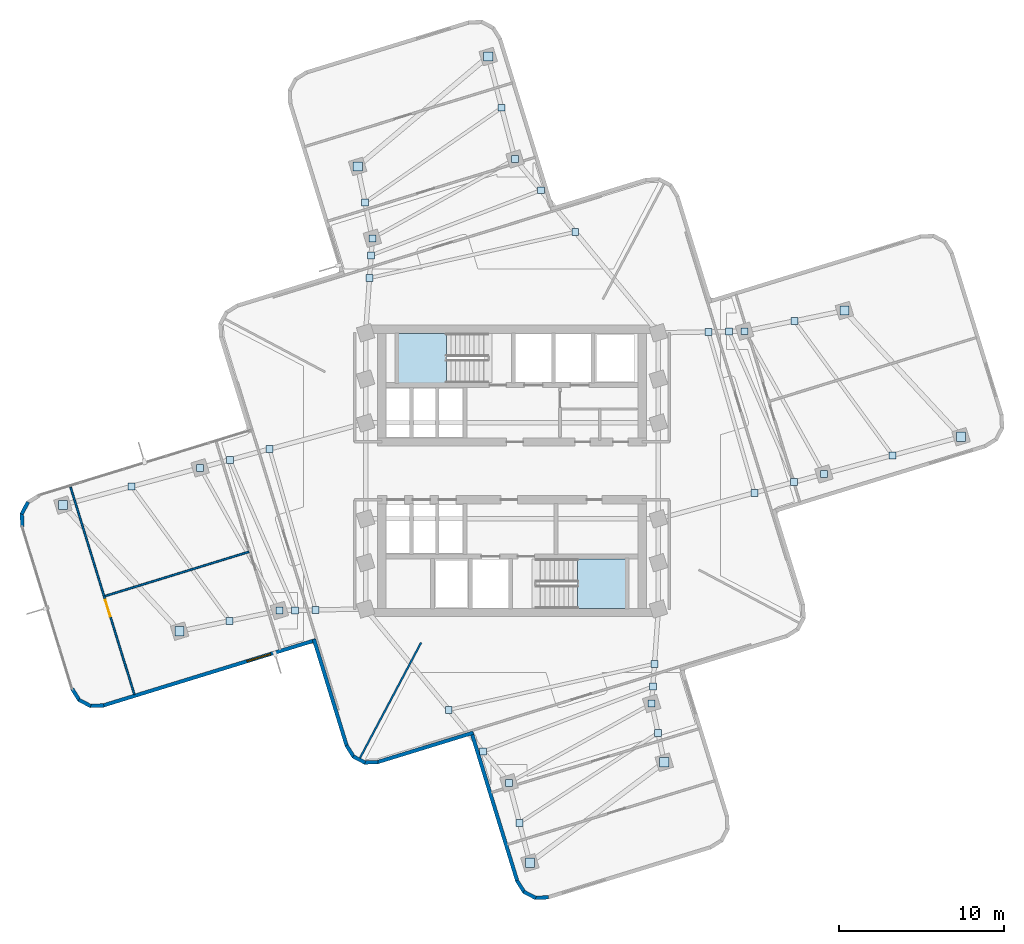
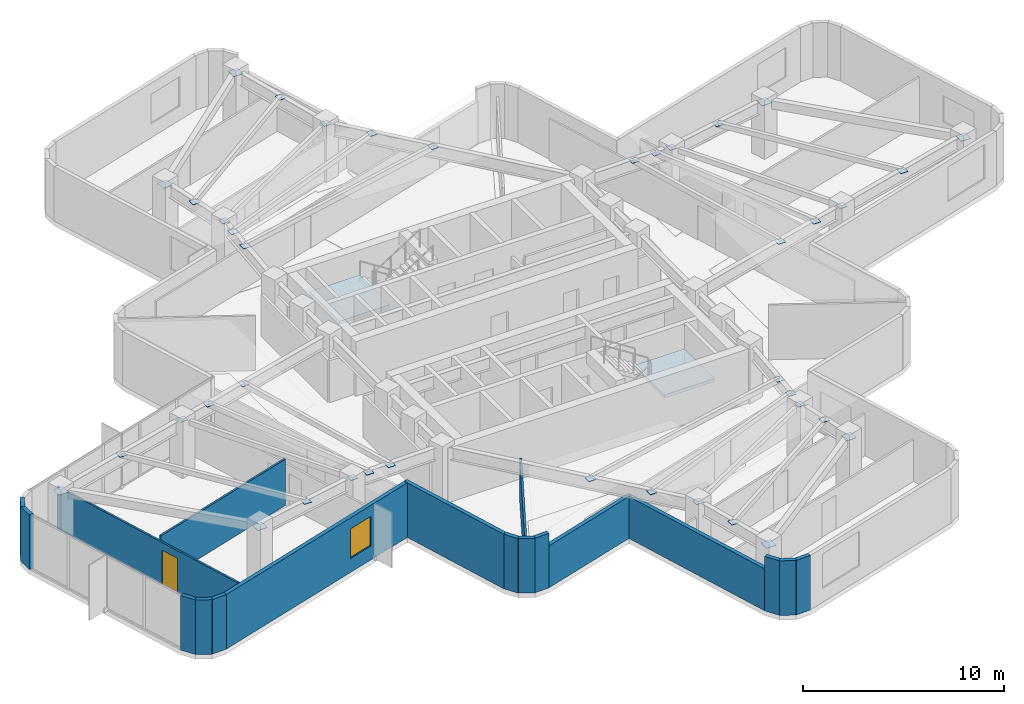
# One storey, part 5 of 10: 40 plates, 18 walls, 2 slabs, 1 door, 1 window, 2 openings, 2 elements without a shape of their own.
"""IFC4 building model written with IfcOpenShell, lengths in metres."""

from ifc_helpers import new_model, si_unit, direction, frame, frame_2d, origin, origin_2d, place, context, subcontext, project, spatial, polyline, rectangle, outline, extrude, material, layer, layer_set, type_object, element, fill, aggregate, save


model = new_model("IFC4")

# Units and contexts
model_context = context("Model", 3, precision=1e-05, world=origin(), true_north=direction((0.0, 1.0)))
body_context = subcontext(model_context, "Body", "Model", "MODEL_VIEW")
ifc_project = project(units=[si_unit("LENGTHUNIT", "METRE"), si_unit("AREAUNIT", "SQUARE_METRE"), si_unit("VOLUMEUNIT", "CUBIC_METRE"), si_unit("PLANEANGLEUNIT", "RADIAN"), si_unit("MASSUNIT", "GRAM", prefix="KILO")], contexts=[model_context])

# Site, building, storey
site_placement = place(None, origin())
site = spatial("IfcSite", under=ifc_project, at=site_placement, CompositionType="ELEMENT")
building_placement = place(site_placement, origin())
building = spatial("IfcBuilding", under=site, at=building_placement, Name="Solmarez Civic Tower", CompositionType="ELEMENT")
storey_placement = place(building_placement, frame((0.0, 0.0, 148.679931640625)))
storey = spatial("IfcBuildingStorey", under=building, at=storey_placement, Name="L39", CompositionType="ELEMENT", Elevation=148.679931640625)

# Plates
ifc_material_1 = material(Name="Steel S355", Category="steel")
ifc_layer_1 = layer(ifc_material_1, 0.02392578125)
ifc_layer_set_1 = layer_set([ifc_layer_1], Name="Steel S355")
plate_type_1 = type_object("IfcPlateType", Name="PLT-CAP-380", PredefinedType="USERDEFINED", material=ifc_layer_set_1)
for number, where, z_axis, x_axis, name in (
    (1, (18.860107421875, -0.18310546875, 3.158203125), (0.0, 0.0, 1.0), (1.0, 0.0, 0.0), "Steel Member End Cap Plate CAP-BM-L39-EA-T1-0"),
    (2, (14.06396484375, 8.445068359375, 3.158203125), (0.0, 0.0, 1.0), (1.0, 0.0, 0.0), "Steel Member End Cap Plate CAP-BM-L39-EA-T1-1"),
    (3, (23.006103515625, 0.94091796875, 3.158203125), (0.0, 0.0, 1.0), (1.0, 0.0, 0.0), "Steel Member End Cap Plate CAP-JS-L39-EA-M2-0"),
    (4, (17.0810546875, 9.069091796875, 3.158203125), (0.0, 0.0, 1.0), (1.0, 0.0, 0.0), "Steel Member End Cap Plate CAP-JS-L39-EA-M2-1"),
    (5, (14.656005859375, -1.323974609375, 3.158203125), (0.0, 0.0, 1.0), (1.0, 0.0, 0.0), "Steel Member End Cap Plate CAP-JS-L39-EA-M11-0"),
    (6, (11.8740234375, 8.405029296875, 3.158203125), (0.0, 0.0, 1.0), (1.0, 0.0, 0.0), "Steel Member End Cap Plate CAP-JS-L39-EA-M11-1"),
    (7, (17.05810546875, -0.672119140625, 3.158203125), (0.0, 0.0, 1.0), (1.0, 0.0, 0.0), "Steel Member End Cap Plate CAP-JS-L39-EA-M12-0"),
    (8, (13.125, 8.427978515625, 3.158203125), (0.0, 0.0, 1.0), (1.0, 0.0, 0.0), "Steel Member End Cap Plate CAP-JS-L39-EA-M12-1"),
    (9, (0.18310546875, 18.860107421875, 3.158203125), (0.0, 0.0, 1.0), (1.0, 0.0, 0.0), "Steel Member End Cap Plate CAP-BM-L39-NA-T1-0"),
    (10, (-8.445068359375, 14.06396484375, 3.158203125), (0.0, 0.0, 1.0), (1.0, 0.0, 0.0), "Steel Member End Cap Plate CAP-BM-L39-NA-T1-1"),
    (11, (-0.626953125, 21.9560546875, 3.158203125), (0.0, 0.0, 1.0), (1.0, 0.0, 0.0), "Steel Member End Cap Plate CAP-JS-L39-NA-M2-0"),
    (12, (-8.888916015625, 16.236083984375, 3.158203125), (0.0, 0.0, 1.0), (1.0, 0.0, 0.0), "Steel Member End Cap Plate CAP-JS-L39-NA-M2-1"),
    (13, (3.822998046875, 14.446044921875, 3.158203125), (0.0, 0.0, 1.0), (1.0, 0.0, 0.0), "Steel Member End Cap Plate CAP-JS-L39-NA-M11-0"),
    (14, (-8.614990234375, 11.6640625, 3.158203125), (0.0, 0.0, 1.0), (1.0, 0.0, 0.0), "Steel Member End Cap Plate CAP-JS-L39-NA-M11-1"),
    (15, (1.742919921875, 16.968017578125, 3.158203125), (0.0, 0.0, 1.0), (1.0, 0.0, 0.0), "Steel Member End Cap Plate CAP-JS-L39-NA-M12-0"),
    (16, (-8.51806640625, 13.034912109375, 3.158203125), (0.0, 0.0, 1.0), (1.0, 0.0, 0.0), "Steel Member End Cap Plate CAP-JS-L39-NA-M12-1"),
    (17, (-18.860107421875, 0.18310546875, 3.158203125), (0.0, 0.0, 1.0), (1.0, 0.0, 0.0), "Steel Member End Cap Plate CAP-BM-L39-WA-T1-0"),
    (18, (-14.06396484375, -8.445068359375, 3.158203125), (0.0, 0.0, 1.0), (1.0, 0.0, 0.0), "Steel Member End Cap Plate CAP-BM-L39-WA-T1-1"),
    (19, (-23.006103515625, -0.94091796875, 3.158203125), (0.0, 0.0, 1.0), (1.0, 0.0, 0.0), "Steel Member End Cap Plate CAP-JS-L39-WA-M2-0"),
    (20, (-17.0810546875, -9.069091796875, 3.158203125), (0.0, 0.0, 1.0), (1.0, 0.0, 0.0), "Steel Member End Cap Plate CAP-JS-L39-WA-M2-1"),
    (21, (-14.656005859375, 1.323974609375, 3.158203125), (0.0, 0.0, 1.0), (1.0, 0.0, 0.0), "Steel Member End Cap Plate CAP-JS-L39-WA-M11-0"),
    (22, (-11.8740234375, -8.405029296875, 3.158203125), (0.0, 0.0, 1.0), (1.0, 0.0, 0.0), "Steel Member End Cap Plate CAP-JS-L39-WA-M11-1"),
    (23, (-17.05810546875, 0.672119140625, 3.158203125), (0.0, 0.0, 1.0), (1.0, 0.0, 0.0), "Steel Member End Cap Plate CAP-JS-L39-WA-M12-0"),
    (24, (-13.125, -8.427978515625, 3.158203125), (0.0, 0.0, 1.0), (1.0, 0.0, 0.0), "Steel Member End Cap Plate CAP-JS-L39-WA-M12-1"),
    (25, (-0.18310546875, -18.860107421875, 3.158203125), (0.0, 0.0, 1.0), (1.0, 0.0, 0.0), "Steel Member End Cap Plate CAP-BM-L39-SA-T1-0"),
    (26, (8.445068359375, -14.06396484375, 3.158203125), (0.0, 0.0, 1.0), (1.0, 0.0, 0.0), "Steel Member End Cap Plate CAP-BM-L39-SA-T1-1"),
    (27, (0.449951171875, -21.279052734375, 3.158203125), (0.0, 0.0, 1.0), (1.0, 0.0, 0.0), "Steel Member End Cap Plate CAP-JS-L39-SA-M2-0"),
    (28, (8.825927734375, -15.839111328125, 3.158203125), (0.0, 0.0, 1.0), (1.0, 0.0, 0.0), "Steel Member End Cap Plate CAP-JS-L39-SA-M2-1"),
    (29, (-3.822998046875, -14.446044921875, 3.158203125), (0.0, 0.0, 1.0), (1.0, 0.0, 0.0), "Steel Member End Cap Plate CAP-JS-L39-SA-M11-0"),
    (30, (8.614990234375, -11.6640625, 3.158203125), (0.0, 0.0, 1.0), (1.0, 0.0, 0.0), "Steel Member End Cap Plate CAP-JS-L39-SA-M11-1"),
    (31, (-1.742919921875, -16.968017578125, 3.158203125), (0.0, 0.0, 1.0), (1.0, 0.0, 0.0), "Steel Member End Cap Plate CAP-JS-L39-SA-M12-0"),
    (32, (8.51806640625, -13.034912109375, 3.158203125), (0.0, 0.0, 1.0), (1.0, 0.0, 0.0), "Steel Member End Cap Plate CAP-JS-L39-SA-M12-1"),
):
    element("IfcPlate", number, at=place(storey_placement, frame(where, z_axis=z_axis, x_axis=x_axis)), inside=storey, type_object=plate_type_1, Name=name, ObjectType="CAP_PLATE", PredefinedType="USERDEFINED", context=body_context, shape_type="SweptSolid", body=[
        extrude(rectangle(XDim=0.419921875, YDim=0.419921875, at=origin_2d()), origin(), (0.0, 0.0, 1.0), 0.02392578125),
    ])
ifc_layer_2 = layer(ifc_material_1, 0.028076171875)
ifc_layer_set_2 = layer_set([ifc_layer_2], Name="Steel S355")
plate_type_2 = type_object("IfcPlateType", Name="PLT-CAP-540", PredefinedType="USERDEFINED", material=ifc_layer_set_2)
for number, where, z_axis, x_axis, name in (
    (33, (27.153076171875, 2.06396484375, 3.05615234375), (0.0, 0.0, 1.0), (1.0, 0.0, 0.0), "Steel Member End Cap Plate CAP-BM-L39-EA-T2-0"),
    (34, (20.097900390625, 9.69189453125, 3.05615234375), (0.0, 0.0, 1.0), (1.0, 0.0, 0.0), "Steel Member End Cap Plate CAP-BM-L39-EA-T2-1"),
    (35, (-1.43701171875, 25.052001953125, 3.05615234375), (0.0, 0.0, 1.0), (1.0, 0.0, 0.0), "Steel Member End Cap Plate CAP-BM-L39-NA-T2-0"),
    (36, (-9.3330078125, 18.408935546875, 3.05615234375), (0.0, 0.0, 1.0), (1.0, 0.0, 0.0), "Steel Member End Cap Plate CAP-BM-L39-NA-T2-1"),
    (37, (-27.153076171875, -2.06396484375, 3.05615234375), (0.0, 0.0, 1.0), (1.0, 0.0, 0.0), "Steel Member End Cap Plate CAP-BM-L39-WA-T2-0"),
    (38, (-20.097900390625, -9.69189453125, 3.05615234375), (0.0, 0.0, 1.0), (1.0, 0.0, 0.0), "Steel Member End Cap Plate CAP-BM-L39-WA-T2-1"),
    (39, (1.0830078125, -23.697021484375, 3.05615234375), (0.0, 0.0, 1.0), (1.0, 0.0, 0.0), "Steel Member End Cap Plate CAP-BM-L39-SA-T2-0"),
    (40, (9.2080078125, -17.614990234375, 3.05615234375), (0.0, 0.0, 1.0), (1.0, 0.0, 0.0), "Steel Member End Cap Plate CAP-BM-L39-SA-T2-1"),
):
    element("IfcPlate", number, at=place(storey_placement, frame(where, z_axis=z_axis, x_axis=x_axis)), inside=storey, type_object=plate_type_2, Name=name, ObjectType="CAP_PLATE", PredefinedType="USERDEFINED", context=body_context, shape_type="SweptSolid", body=[
        extrude(rectangle(XDim=0.56005859375, YDim=0.56005859375, at=origin_2d()), origin(), (0.0, 0.0, 1.0), 0.028076171875),
    ])

# Stair, slab
ifc_material_2 = material(Name="Concrete C50/60", Category="concrete")
stair_type = type_object("IfcStairType", Name="STAIR-DOGLEG-140W-20R-1800", PredefinedType="HALF_TURN_STAIR", material=ifc_material_2)
stair_1_placement = place(storey_placement, origin())
stair_1 = element("IfcStair", 41, at=stair_1_placement, inside=storey, type_object=stair_type, Name="L39 North Core Protected Exit Stair ST-1", PredefinedType="HALF_TURN_STAIR")
ifc_layer_3 = layer(ifc_material_2, 0.199951171875)
ifc_layer_set_3 = layer_set([ifc_layer_3], Name="Concrete C50/60")
slab_type = type_object("IfcSlabType", Name="SLAB-LANDING-200", PredefinedType="LANDING", material=ifc_layer_set_3)
slab_1_placement = place(storey_placement, frame((0.0, 0.0, 1.60009765625)))
slab_1 = element("IfcSlab", 42, at=slab_1_placement, type_object=slab_type, Name="ST-1 landing 1", PredefinedType="LANDING", context=body_context, shape_type="SweptSolid", body=[
    extrude(outline(polyline([(-3.969970703125, 8.320068359375), (-6.85009765625, 8.320068359375), (-6.85009765625, 5.320068359375), (-3.969970703125, 5.320068359375), (-3.969970703125, 8.320068359375)])), origin(), (0.0, 0.0, 1.0), 0.199951171875),
])
aggregate(stair_1, [slab_1])

stair_2_placement = place(storey_placement, origin())
stair_2 = element("IfcStair", 43, at=stair_2_placement, inside=storey, type_object=stair_type, Name="L39 South Core Protected Exit Stair ST-2", PredefinedType="HALF_TURN_STAIR")
slab_2_placement = place(storey_placement, frame((0.0, 0.0, 1.60009765625)))
slab_2 = element("IfcSlab", 44, at=slab_2_placement, type_object=slab_type, Name="ST-2 landing 1", PredefinedType="LANDING", context=body_context, shape_type="SweptSolid", body=[
    extrude(outline(polyline([(3.969970703125, -8.320068359375), (6.85009765625, -8.320068359375), (6.85009765625, -5.320068359375), (3.969970703125, -5.320068359375), (3.969970703125, -8.320068359375)])), origin(), (0.0, 0.0, 1.0), 0.199951171875),
])
aggregate(stair_2, [slab_2])

# Wall, opening, window
ifc_material_3 = material(Name="Precast concrete C40/50", Category="concrete")
ifc_layer_4 = layer(ifc_material_3, 0.219970703125)
ifc_layer_set_4 = layer_set([ifc_layer_4], Name="Precast concrete C40/50")
wall_type_1 = type_object("IfcWallType", Name="WALL-EXT-220", PredefinedType="SOLIDWALL", material=ifc_layer_set_4)
wall_1_placement = place(storey_placement, frame((-11.867919921875, -10.23193359375, 0.0), z_axis=(0.0, 0.0, 1.0), x_axis=(-0.955802538335, -0.29400936671, 0.0)))
wall_1 = element("IfcWall", 45, at=wall_1_placement, inside=storey, type_object=wall_type_1, Name="L39 Exterior Precast Wall 2", PredefinedType="SOLIDWALL", context=body_context, shape_type="SweptSolid", body=[
    extrude(rectangle(XDim=13.458740234375, YDim=0.219970703125, at=frame_2d((6.7294921875, 0.0))), origin(), (0.0, 0.0, 1.0), 3.320068359375),
])
opening_1_placement = place(wall_1_placement, frame((2.85009765625, 0.0, 0.85009765625)))
opening_1 = element("IfcOpeningElement", 46, at=opening_1_placement, cuts=wall_1, Name="Opening W-13", PredefinedType="OPENING", context=body_context, shape_type="SweptSolid", body=[
    extrude(rectangle(XDim=1.5, YDim=1.800048828125, at=frame_2d((0.75, 0.89990234375))), frame((0.0, 0.119873046875, 0.0), z_axis=(0.0, -1.0, 0.0), x_axis=(1.0, 0.0, 0.0)), (0.0, 0.0, 1.0), 0.239990234375),
])
ifc_material_4 = material(Name="Solar Control Bronze-Tinted Insulating Glass", Category="glass")
window_type = type_object("IfcWindowType", Name="WIN-1500X1800", PartitioningType="SINGLE_PANEL", PredefinedType="WINDOW", material=ifc_material_4)
window_placement = place(opening_1_placement, origin())
window = element("IfcWindow", 47, at=window_placement, inside=storey, type_object=window_type, Name="L39 Exterior Facade Window 2", OverallHeight=1.800048828125, OverallWidth=1.5, PartitioningType="SINGLE_PANEL", PredefinedType="WINDOW", context=body_context, shape_type="SweptSolid", body=[
    extrude(rectangle(XDim=1.5, YDim=1.800048828125, at=frame_2d((0.75, 0.89990234375))), frame((0.0, 0.030029296875, 0.0), z_axis=(0.0, -1.0, 0.0), x_axis=(1.0, 0.0, 0.0)), (0.0, 0.0, 1.0), 0.06005859375),
])
fill(opening_1, window)

# Walls
wall_2_placement = place(storey_placement, frame((-24.68310546875, -14.180908203125, 0.0), z_axis=(0.0, 0.0, 1.0), x_axis=(-0.999307996296, -0.037195813461, 0.0)))
element("IfcWall", 48, at=wall_2_placement, inside=storey, type_object=wall_type_1, Name="L39 Exterior Precast Wall 3", PredefinedType="SOLIDWALL", context=body_context, shape_type="SweptSolid", body=[
    extrude(rectangle(XDim=0.83349609375, YDim=0.219970703125, at=frame_2d((0.416748046875, 0.0))), origin(), (0.0, 0.0, 1.0), 3.320068359375),
])
wall_3_placement = place(storey_placement, frame((-25.468994140625, -14.222900390625, 0.0), z_axis=(0.0, 0.0, 1.0), x_axis=(-0.883570434709, 0.468298288389, 0.0)))
element("IfcWall", 49, at=wall_3_placement, inside=storey, type_object=wall_type_1, Name="L39 Exterior Precast Wall 4", PredefinedType="SOLIDWALL", context=body_context, shape_type="SweptSolid", body=[
    extrude(rectangle(XDim=0.819580078125, YDim=0.219970703125, at=frame_2d((0.40966796875, 0.0))), origin(), (0.0, 0.0, 1.0), 3.320068359375),
])
wall_4_placement = place(storey_placement, frame((-26.157958984375, -13.8720703125, 0.0), z_axis=(0.0, 0.0, 1.0), x_axis=(-0.531050540535, 0.847340146221, 0.0)))
element("IfcWall", 50, at=wall_4_placement, inside=storey, type_object=wall_type_1, Name="L39 Exterior Precast Wall 5", PredefinedType="SOLIDWALL", context=body_context, shape_type="SweptSolid", body=[
    extrude(rectangle(XDim=0.83447265625, YDim=0.219970703125, at=frame_2d((0.417236328125, 0.0))), origin(), (0.0, 0.0, 1.0), 3.320068359375),
])
wall_5_placement = place(storey_placement, frame((-29.60693359375, -3.39404296875, 0.0), z_axis=(0.0, 0.0, 1.0), x_axis=(-0.037195813461, 0.999307996296, 0.0)))
element("IfcWall", 51, at=wall_5_placement, inside=storey, type_object=wall_type_1, Name="L39 Exterior Precast Wall 7", PredefinedType="SOLIDWALL", context=body_context, shape_type="SweptSolid", body=[
    extrude(rectangle(XDim=0.83349609375, YDim=0.219970703125, at=frame_2d((0.416748046875, 0.0))), origin(), (0.0, 0.0, 1.0), 3.320068359375),
])
wall_6_placement = place(storey_placement, frame((-29.64892578125, -2.60791015625, 0.0), z_axis=(0.0, 0.0, 1.0), x_axis=(0.468654126993, 0.883381746049, 0.0)))
element("IfcWall", 52, at=wall_6_placement, inside=storey, type_object=wall_type_1, Name="L39 Exterior Precast Wall 8", PredefinedType="SOLIDWALL", context=body_context, shape_type="SweptSolid", body=[
    extrude(rectangle(XDim=0.8193359375, YDim=0.219970703125, at=frame_2d((0.40966796875, 0.0))), origin(), (0.0, 0.0, 1.0), 3.320068359375),
])
wall_7_placement = place(storey_placement, frame((2.218017578125, -25.783935546875, 0.0), z_axis=(0.0, 0.0, 1.0), x_axis=(-0.999307996296, -0.037195813461, 0.0)))
element("IfcWall", 53, at=wall_7_placement, inside=storey, type_object=wall_type_1, Name="L39 Exterior Precast Wall 61", PredefinedType="SOLIDWALL", context=body_context, shape_type="SweptSolid", body=[
    extrude(rectangle(XDim=0.83349609375, YDim=0.219970703125, at=frame_2d((0.416748046875, 0.0))), origin(), (0.0, 0.0, 1.0), 3.320068359375),
])
wall_8_placement = place(storey_placement, frame((1.431884765625, -25.825927734375, 0.0), z_axis=(0.0, 0.0, 1.0), x_axis=(-0.883381746049, 0.468654126993, 0.0)))
element("IfcWall", 54, at=wall_8_placement, inside=storey, type_object=wall_type_1, Name="L39 Exterior Precast Wall 62", PredefinedType="SOLIDWALL", context=body_context, shape_type="SweptSolid", body=[
    extrude(rectangle(XDim=0.8193359375, YDim=0.219970703125, at=frame_2d((0.40966796875, 0.0))), origin(), (0.0, 0.0, 1.0), 3.320068359375),
])
wall_9_placement = place(storey_placement, frame((0.742919921875, -25.47509765625, 0.0), z_axis=(0.0, 0.0, 1.0), x_axis=(-0.530840416366, 0.847471800329, 0.0)))
element("IfcWall", 55, at=wall_9_placement, inside=storey, type_object=wall_type_1, Name="L39 Exterior Precast Wall 63", PredefinedType="SOLIDWALL", context=body_context, shape_type="SweptSolid", body=[
    extrude(rectangle(XDim=0.834228515625, YDim=0.219970703125, at=frame_2d((0.4169921875, 0.0))), origin(), (0.0, 0.0, 1.0), 3.320068359375),
])
wall_10_placement = place(storey_placement, frame((0.320068359375, -24.81298828125, 0.0), z_axis=(0.0, 0.0, 1.0), x_axis=(-0.294033246156, 0.955795192578, 0.0)))
element("IfcWall", 56, at=wall_10_placement, inside=storey, type_object=wall_type_1, Name="L39 Exterior Precast Wall 64", PredefinedType="SOLIDWALL", context=body_context, shape_type="SweptSolid", body=[
    extrude(rectangle(XDim=9.458251953125, YDim=0.219970703125, at=frame_2d((4.72900390625, 0.0))), origin(), (0.0, 0.0, 1.0), 2.550048828125),
])
wall_11_placement = place(storey_placement, frame((-2.35107421875, -15.8310546875, 0.0), z_axis=(0.0, 0.0, 1.0), x_axis=(-0.955818207028, -0.293958424126, 0.0)))
element("IfcWall", 57, at=wall_11_placement, inside=storey, type_object=wall_type_1, Name="L39 Exterior Precast Wall 67", PredefinedType="SOLIDWALL", context=body_context, shape_type="SweptSolid", body=[
    extrude(rectangle(XDim=6.05859375, YDim=0.219970703125, at=frame_2d((3.029296875, 0.0))), origin(), (0.0, 0.0, 1.0), 2.550048828125),
])
wall_12_placement = place(storey_placement, frame((-8.093017578125, -17.60400390625, 0.0), z_axis=(0.0, 0.0, 1.0), x_axis=(-0.999307996296, -0.037195813461, 0.0)))
element("IfcWall", 58, at=wall_12_placement, inside=storey, type_object=wall_type_1, Name="L39 Exterior Precast Wall 68", PredefinedType="SOLIDWALL", context=body_context, shape_type="SweptSolid", body=[
    extrude(rectangle(XDim=0.83349609375, YDim=0.219970703125, at=frame_2d((0.416748046875, 0.0))), origin(), (0.0, 0.0, 1.0), 3.320068359375),
])
wall_13_placement = place(storey_placement, frame((-8.87890625, -17.64599609375, 0.0), z_axis=(0.0, 0.0, 1.0), x_axis=(-0.883447158012, 0.46853080902, 0.0)))
element("IfcWall", 59, at=wall_13_placement, inside=storey, type_object=wall_type_1, Name="L39 Exterior Precast Wall 69", PredefinedType="SOLIDWALL", context=body_context, shape_type="SweptSolid", body=[
    extrude(rectangle(XDim=0.819580078125, YDim=0.219970703125, at=frame_2d((0.40966796875, 0.0))), origin(), (0.0, 0.0, 1.0), 3.320068359375),
])
wall_14_placement = place(storey_placement, frame((-9.568115234375, -17.294921875, 0.0), z_axis=(0.0, 0.0, 1.0), x_axis=(-0.531499315411, 0.847058721529, 0.0)))
element("IfcWall", 60, at=wall_14_placement, inside=storey, type_object=wall_type_1, Name="L39 Exterior Precast Wall 70", PredefinedType="SOLIDWALL", context=body_context, shape_type="SweptSolid", body=[
    extrude(rectangle(XDim=0.833251953125, YDim=0.219970703125, at=frame_2d((0.41650390625, 0.0))), origin(), (0.0, 0.0, 1.0), 3.320068359375),
])
wall_15_placement = place(storey_placement, frame((-9.990966796875, -16.634033203125, 0.0), z_axis=(0.0, 0.0, 1.0), x_axis=(-0.294002082259, 0.955804779036, 0.0)))
element("IfcWall", 61, at=wall_15_placement, inside=storey, type_object=wall_type_1, Name="L39 Exterior Precast Wall 71", PredefinedType="SOLIDWALL", context=body_context, shape_type="SweptSolid", body=[
    extrude(rectangle(XDim=6.758544921875, YDim=0.219970703125, at=frame_2d((3.37939453125, 0.0))), origin(), (0.0, 0.0, 1.0), 3.320068359375),
])
ifc_material_5 = material(Name="Gypsum Board Acoustic Steel-Stud Partition", Category="steel")
ifc_layer_5 = layer(ifc_material_5, 0.110107421875)
ifc_layer_set_5 = layer_set([ifc_layer_5], Name="Gypsum Board Acoustic Steel-Stud Partition")
wall_type_2 = type_object("IfcWallType", Name="WALL-INT-PART-110", PredefinedType="PARTITIONING", material=ifc_layer_set_5)
wall_16_placement = place(storey_placement, frame((-5.4951171875, -10.3798828125, 0.0), z_axis=(0.0, 0.0, 1.0), x_axis=(-0.467965518706, -0.883746724635, 0.0)))
element("IfcWall", 62, at=wall_16_placement, inside=storey, type_object=wall_type_2, Name="L39 Interior Partition PT-L39-QDIV-3", PredefinedType="PARTITIONING", context=body_context, shape_type="SweptSolid", body=[
    extrude(rectangle(XDim=7.929931640625, YDim=0.110107421875, at=frame_2d((3.96484375, 0.0))), origin(), (0.0, 0.0, 1.0), 2.550048828125),
])
wall_17_placement = place(storey_placement, frame((-15.904052734375, -4.89306640625, 0.0), z_axis=(0.0, 0.0, 1.0), x_axis=(-0.955787709154, -0.294057570944, 0.0)))
element("IfcWall", 63, at=wall_17_placement, inside=storey, type_object=wall_type_2, Name="L39 Interior Partition PT-L39-W-MM", PredefinedType="PARTITIONING", context=body_context, shape_type="SweptSolid", body=[
    extrude(rectangle(XDim=9.100341796875, YDim=0.110107421875, at=frame_2d((4.55029296875, 0.0))), origin(), (0.0, 0.0, 1.0), 2.81201171875),
])

# Wall, opening, door
wall_18_placement = place(storey_placement, frame((-22.83203125, -13.52587890625, 0.0), z_axis=(0.0, 0.0, 1.0), x_axis=(-0.294079315466, 0.955781018966, 0.0)))
wall_18 = element("IfcWall", 64, at=wall_18_placement, inside=storey, type_object=wall_type_2, Name="L39 Interior Partition PT-L39-W-S2", PredefinedType="PARTITIONING", context=body_context, shape_type="SweptSolid", body=[
    extrude(rectangle(XDim=13.12939453125, YDim=0.110107421875, at=frame_2d((6.564697265625, 0.0))), origin(), (0.0, 0.0, 1.0), 2.550048828125),
])
opening_2_placement = place(wall_18_placement, frame((4.93994140625, 0.0, 0.0)))
opening_2 = element("IfcOpeningElement", 65, at=opening_2_placement, cuts=wall_18, Name="Opening D-13", PredefinedType="OPENING", context=body_context, shape_type="SweptSolid", body=[
    extrude(rectangle(XDim=1.050048828125, YDim=2.080078125, at=frame_2d((0.52490234375, 1.0400390625))), frame((0.0, 0.06494140625, 0.0), z_axis=(0.0, -1.0, 0.0), x_axis=(1.0, 0.0, 0.0)), (0.0, 0.0, 1.0), 0.130126953125),
])
ifc_material_6 = material(Name="Timber Directorate Office Door", Category="wood")
door_type = type_object("IfcDoorType", Name="DOOR-INT-1050", OperationType="NOTDEFINED", PredefinedType="DOOR", material=ifc_material_6)
door_placement = place(opening_2_placement, origin())
door = element("IfcDoor", 66, at=door_placement, inside=storey, type_object=door_type, Name="L39 Public Reading Room Fourth West Door", OperationType="SINGLE_SWING_LEFT", OverallHeight=2.080078125, OverallWidth=1.050048828125, PredefinedType="DOOR", context=body_context, shape_type="SweptSolid", body=[
    extrude(rectangle(XDim=1.050048828125, YDim=2.080078125, at=frame_2d((0.52490234375, 1.0400390625))), frame((0.0, 0.02490234375, 0.0), z_axis=(0.0, -1.0, 0.0), x_axis=(1.0, 0.0, 0.0)), (0.0, 0.0, 1.0), 0.050048828125),
])
fill(opening_2, door)

save(model, "model.ifc")
